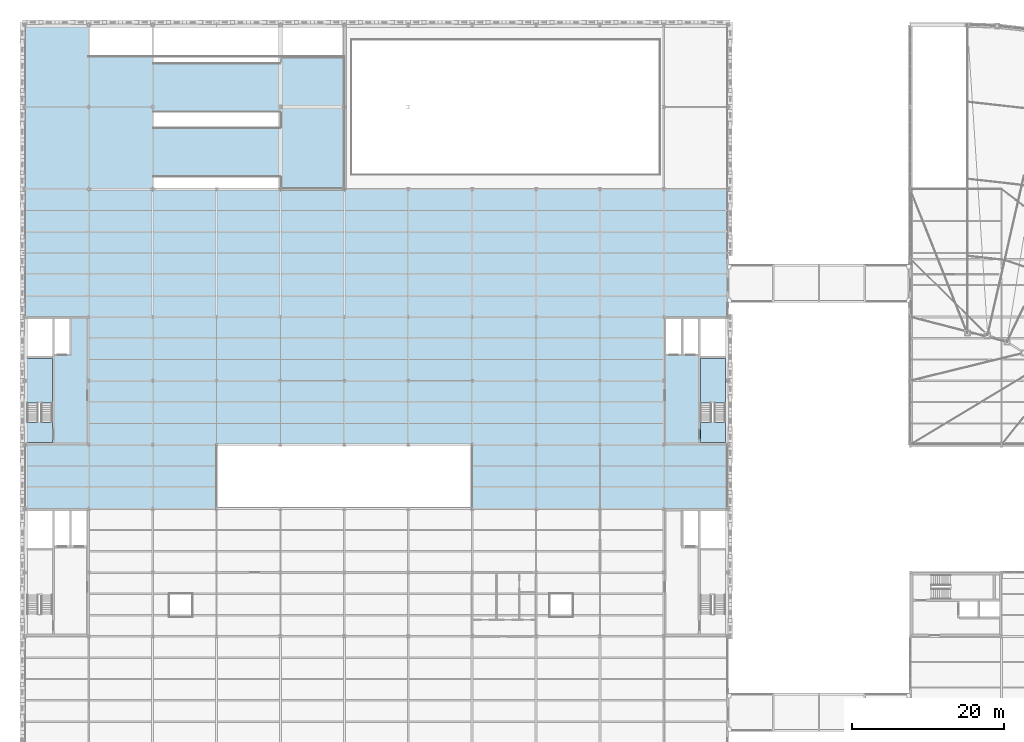
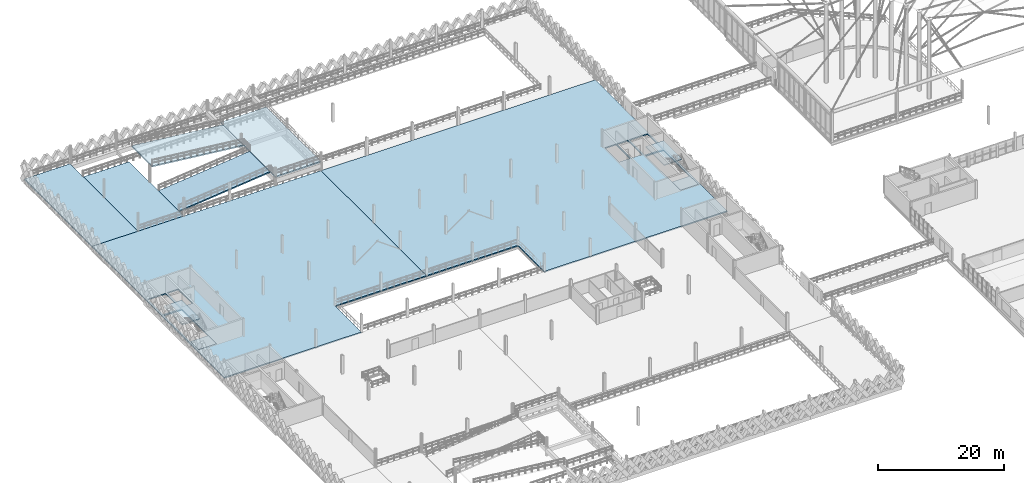
# One storey, part 67 of 101: 11 slabs, 2 elements without a shape of their own.
"""IFC4 building model written with IfcOpenShell, lengths in metres."""

import ifcopenshell
import ifcopenshell.guid

model = None  # the IFC model being written
_history = None  # IfcOwnerHistory: only IFC2X3 demands one
_inside = {}  # id of a spatial element -> (the spatial element, [elements in it])
_under = {}  # id of a project, library or spatial element -> (it, [spatial elements below it])
_declared = {}  # id of a project -> (the project, [libraries it declares])
_typed = {}  # id of a type object -> (the type object, [elements of that type])
_made_of = {}  # id of a material, layer set ... -> (it, [elements and type objects made of it])


def new_model(schema):
    """Start an empty IFC model of exactly this schema.

    Asked for "IFC4X3", IfcOpenShell would pick the latest addendum, in which some entities
    have other attributes; the version numbers below select the first issue.
    IFC2X3 requires an IfcOwnerHistory on every rooted entity: one is made here for all.
    """
    global model, _history
    if schema == "IFC4X3":
        model = ifcopenshell.file(schema_version=(4, 3, 0, 0))
    else:
        model = ifcopenshell.file(schema=schema)
    _inside.clear()
    _under.clear()
    _declared.clear()
    _typed.clear()
    _made_of.clear()
    _history = None
    if model.schema == "IFC2X3":
        org = make("IfcOrganization", Name="unknown")
        user = make(
            "IfcPersonAndOrganization",
            ThePerson=make("IfcPerson", FamilyName="unknown"),
            TheOrganization=org,
        )
        app = make(
            "IfcApplication",
            ApplicationDeveloper=org,
            Version="unknown",
            ApplicationFullName="unknown",
            ApplicationIdentifier="unknown",
        )
        _history = make(
            "IfcOwnerHistory",
            OwningUser=user,
            OwningApplication=app,
            ChangeAction="ADDED",
            CreationDate=0,
        )
    return model


def make(cls, **values):
    """One entity of the class cls with the attributes given. An attribute that is None is left unset."""
    return model.create_entity(
        cls, **{name: value for name, value in values.items() if value is not None}
    )


def rooted(cls, **values):
    """An entity with a GlobalId (a new one), such as an element, a storey or a relation."""
    return make(cls, GlobalId=ifcopenshell.guid.new(), OwnerHistory=_history, **values)


def si_unit(unit_type, name, prefix=None):
    """IfcSIUnit, for example si_unit("LENGTHUNIT", "METRE", prefix="MILLI")."""
    return make("IfcSIUnit", UnitType=unit_type, Prefix=prefix, Name=name)


def assignment(units):
    """IfcUnitAssignment: the units of a project."""
    return None if units is None else make("IfcUnitAssignment", Units=units)


def point(xyz):
    """IfcCartesianPoint."""
    return None if xyz is None else make("IfcCartesianPoint", Coordinates=xyz)


def direction(xyz):
    """IfcDirection."""
    return None if xyz is None else make("IfcDirection", DirectionRatios=xyz)


def frame(location, z_axis=None, x_axis=None):
    """IfcAxis2Placement3D, a coordinate frame: its origin and axes. An axis left out is left unset."""
    return make(
        "IfcAxis2Placement3D",
        Location=point(location),
        Axis=direction(z_axis),
        RefDirection=direction(x_axis),
    )


def origin():
    """The frame at (0, 0, 0) with its axes left unset."""
    return frame((0.0, 0.0, 0.0))


def place(relative_to, where):
    """IfcLocalPlacement: puts the frame where relative to a parent placement (None: the world)."""
    return make(
        "IfcLocalPlacement", PlacementRelTo=relative_to, RelativePlacement=where
    )


def context(
    kind, dimensions, precision=None, world=None, true_north=None, identifier=None
):
    """IfcGeometricRepresentationContext, for example the 3D "Model" context."""
    return make(
        "IfcGeometricRepresentationContext",
        ContextIdentifier=identifier,
        ContextType=kind,
        CoordinateSpaceDimension=dimensions,
        Precision=precision,
        WorldCoordinateSystem=world,
        TrueNorth=true_north,
    )


def subcontext(parent, identifier, kind, view, scale=None):
    """IfcGeometricRepresentationSubContext, for example "Body" below "Model"."""
    return make(
        "IfcGeometricRepresentationSubContext",
        ContextIdentifier=identifier,
        ContextType=kind,
        ParentContext=parent,
        TargetScale=scale,
        TargetView=view,
    )


def project(units=None, contexts=None):
    """IfcProject with its units and contexts."""
    return rooted(
        "IfcProject",
        Name="project",
        RepresentationContexts=contexts,
        UnitsInContext=assignment(units),
    )


def spatial(cls, under=None, at=None, **own):
    """A site, building, storey or space (cls), placed at a placement, below another one or the project."""
    s = rooted(cls, ObjectPlacement=at, **own)
    if under is not None:
        _under.setdefault(under.id(), (under, []))[1].append(s)
    return s


def polyline(points):
    """IfcPolyline through the points."""
    return make("IfcPolyline", Points=[point(p) for p in points])


def outline(outer, holes=None, kind="AREA"):
    """IfcArbitraryClosedProfileDef: a profile drawn as a closed curve; with holes, ...WithVoids."""
    if holes is None:
        return make("IfcArbitraryClosedProfileDef", ProfileType=kind, OuterCurve=outer)
    return make(
        "IfcArbitraryProfileDefWithVoids",
        ProfileType=kind,
        OuterCurve=outer,
        InnerCurves=holes,
    )


def extrude(swept, where, along, depth):
    """IfcExtrudedAreaSolid: the profile swept, set in the frame where, extruded along a direction by depth."""
    return make(
        "IfcExtrudedAreaSolid",
        SweptArea=swept,
        Position=where,
        ExtrudedDirection=direction(along),
        Depth=depth,
    )


def shape(context_of_items, identifier, shape_type, items):
    """IfcShapeRepresentation: the items that make up one representation, for example the "Body"."""
    return make(
        "IfcShapeRepresentation",
        ContextOfItems=context_of_items,
        RepresentationIdentifier=identifier,
        RepresentationType=shape_type,
        Items=items,
    )


def material(Name=None, Category=None):
    """IfcMaterial."""
    return make("IfcMaterial", Name=Name, Category=Category)


def layer(
    of_material, thickness, ventilated=None, Name=None, Category=None, Priority=None
):
    """IfcMaterialLayer: one layer of a wall or slab, of a material (None: an air gap)."""
    return make(
        "IfcMaterialLayer",
        Material=of_material,
        LayerThickness=thickness,
        IsVentilated=ventilated,
        Name=Name,
        Category=Category,
        Priority=Priority,
    )


def layer_set(layers, Name=None):
    """IfcMaterialLayerSet."""
    return make("IfcMaterialLayerSet", MaterialLayers=layers, LayerSetName=Name)


def made_of(thing, what):
    """Note that an element or type object is made of a material, layer set ...; save() writes the relation."""
    if what is not None:
        _made_of.setdefault(what.id(), (what, []))[1].append(thing)
    return thing


def type_object(cls, material=None, **own):
    """A type object (cls), such as IfcWallType, which elements share."""
    return made_of(rooted(cls, **own), material)


def element(
    cls,
    number,
    at=None,
    inside=None,
    cuts=None,
    type_object=None,
    material=None,
    context=None,
    identifier="Body",
    shape_type=None,
    held_by="IfcProductDefinitionShape",
    body=None,
    shapes=None,
    **own,
):
    """One element of the class cls, such as IfcWall. Its Tag is "e" and its number.

    at: its placement. inside: the storey or other place that contains it. cuts: it is an
    opening in that element (IfcRelVoidsElement). A single representation is given by context,
    identifier, shape_type and body (its items); several are given by shapes. held_by: the class
    of the entity that holds the representations. save() writes the other relations.
    """
    e = rooted(cls, Tag="e%d" % number, ObjectPlacement=at, **own)
    if body is not None:
        shapes = [shape(context, identifier, shape_type, body)]
    if shapes is not None:
        e.Representation = make(held_by, Representations=shapes)
    if inside is not None:
        _inside.setdefault(inside.id(), (inside, []))[1].append(e)
    if cuts is not None:
        rooted(
            "IfcRelVoidsElement", RelatingBuildingElement=cuts, RelatedOpeningElement=e
        )
    if type_object is not None:
        _typed.setdefault(type_object.id(), (type_object, []))[1].append(e)
    return made_of(e, material)


def aggregate(whole, parts):
    """IfcRelAggregates: a whole, such as a stair, and the parts it consists of."""
    return rooted("IfcRelAggregates", RelatingObject=whole, RelatedObjects=parts)


def save(model, path):
    """Write the relations noted so far, then the file.

    IfcRelAggregates (storeys below a building ...), IfcRelContainedInSpatialStructure (elements
    in a storey), IfcRelDefinesByType, IfcRelAssociatesMaterial and IfcRelDeclares: one each for
    every whole, place, type object, material and project.
    """
    for whole, parts in _under.values():
        aggregate(whole, parts)
    for where, things in _inside.values():
        rooted(
            "IfcRelContainedInSpatialStructure",
            RelatedElements=things,
            RelatingStructure=where,
        )
    for kind, things in _typed.values():
        rooted("IfcRelDefinesByType", RelatedObjects=things, RelatingType=kind)
    for what, things in _made_of.values():
        rooted("IfcRelAssociatesMaterial", RelatedObjects=things, RelatingMaterial=what)
    for by, libraries in _declared.values():
        rooted("IfcRelDeclares", RelatingContext=by, RelatedDefinitions=libraries)
    model.write(path)


model = new_model("IFC4")

# Units and contexts
model_context = context("Model", 3, precision=1e-05, world=origin(), true_north=direction((0.0, 1.0)))
body_context = subcontext(model_context, "Body", "Model", "MODEL_VIEW")
ifc_project = project(units=[si_unit("LENGTHUNIT", "METRE"), si_unit("AREAUNIT", "SQUARE_METRE"), si_unit("VOLUMEUNIT", "CUBIC_METRE"), si_unit("PLANEANGLEUNIT", "RADIAN"), si_unit("MASSUNIT", "GRAM", prefix="KILO"), si_unit("THERMODYNAMICTEMPERATUREUNIT", "KELVIN"), si_unit("POWERUNIT", "WATT")], contexts=[model_context])

# Site, building, storey
site_placement = place(None, origin())
site = spatial("IfcSite", under=ifc_project, at=site_placement, CompositionType="ELEMENT")
building_placement = place(site_placement, origin())
building = spatial("IfcBuilding", under=site, at=building_placement, Name="Tembeka Court Mobility Hub", CompositionType="ELEMENT")
storey_placement = place(building_placement, frame((0.0, 0.0, 5.39990234375)))
storey = spatial("IfcBuildingStorey", under=building, at=storey_placement, Name="L01", CompositionType="ELEMENT", Elevation=5.39990234375)

# Slabs
ifc_material = material(Name="Concrete C40/50", Category="concrete")
ifc_layer_1 = layer(ifc_material, 0.219970703125)
ifc_layer_set_1 = layer_set([ifc_layer_1], Name="Concrete C40/50")
slab_type_1 = type_object("IfcSlabType", Name="SL-FL02", PredefinedType="FLOOR", material=ifc_layer_set_1)
slab_1_placement = place(storey_placement, frame((0.0, 0.0, -0.219970703125)))
element("IfcSlab", 1, at=slab_1_placement, inside=storey, type_object=slab_type_1, Name="L01 ramped EV parking deck (V1NW)", PredefinedType="FLOOR", context=body_context, shape_type="SweptSolid", body=[
    extrude(outline(polyline([(0.0, 55.199951171875), (25.199951171875, 55.199951171875), (25.199951171875, 63.60009765625), (42.0, 63.60009765625), (42.0, 97.199951171875), (0.0, 97.199951171875), (0.0, 55.199951171875)]), holes=[polyline([(0.300048828125, 74.949951171875), (3.60009765625, 74.949951171875), (3.60009765625, 63.89990234375), (0.300048828125, 63.89990234375), (0.300048828125, 74.949951171875)]), polyline([(3.89990234375, 80.10009765625), (5.89990234375, 80.10009765625), (5.89990234375, 75.550048828125), (3.89990234375, 75.550048828125), (3.89990234375, 80.10009765625)]), polyline([(0.300048828125, 80.10009765625), (3.60009765625, 80.10009765625), (3.60009765625, 75.25), (0.300048828125, 75.25), (0.300048828125, 80.10009765625)])]), origin(), (0.0, 0.0, 1.0), 0.219970703125),
])
slab_2_placement = place(storey_placement, frame((0.0, 0.0, -0.219970703125)))
element("IfcSlab", 2, at=slab_2_placement, inside=storey, type_object=slab_type_1, Name="L01 ramped EV parking deck (V1NE)", PredefinedType="FLOOR", context=body_context, shape_type="SweptSolid", body=[
    extrude(outline(polyline([(42.0, 63.60009765625), (58.800048828125, 63.60009765625), (58.800048828125, 55.199951171875), (92.39990234375, 55.199951171875), (92.39990234375, 97.199951171875), (42.0, 97.199951171875), (42.0, 63.60009765625)]), holes=[polyline([(88.800048828125, 74.949951171875), (92.10009765625, 74.949951171875), (92.10009765625, 63.89990234375), (88.800048828125, 63.89990234375), (88.800048828125, 74.949951171875)]), polyline([(84.300048828125, 80.10009765625), (86.300048828125, 80.10009765625), (86.300048828125, 75.550048828125), (84.300048828125, 75.550048828125), (84.300048828125, 80.10009765625)]), polyline([(86.5, 80.10009765625), (88.5, 80.10009765625), (88.5, 75.550048828125), (86.5, 75.550048828125), (86.5, 80.10009765625)]), polyline([(88.800048828125, 80.10009765625), (92.10009765625, 80.10009765625), (92.10009765625, 75.25), (88.800048828125, 75.25), (88.800048828125, 80.10009765625)])]), origin(), (0.0, 0.0, 1.0), 0.219970703125),
])
slab_3_placement = place(storey_placement, frame((0.0, 0.0, -0.219970703125)))
element("IfcSlab", 3, at=slab_3_placement, inside=storey, type_object=slab_type_1, Name="L01 North-West ramp perimeter deck", PredefinedType="FLOOR", context=body_context, shape_type="SweptSolid", body=[
    extrude(outline(polyline([(0.0, 97.199951171875), (8.39990234375, 97.199951171875), (8.39990234375, 118.800048828125), (0.0, 118.800048828125), (0.0, 97.199951171875)])), origin(), (0.0, 0.0, 1.0), 0.219970703125),
])
ifc_layer_2 = layer(ifc_material, 0.199951171875)
ifc_layer_set_2 = layer_set([ifc_layer_2], Name="Concrete C40/50")
slab_type_2 = type_object("IfcSlabType", Name="SL-LD01", PredefinedType="LANDING", material=ifc_layer_set_2)
slab_4_placement = place(storey_placement, frame((0.0, 0.0, -0.25)))
element("IfcSlab", 4, at=slab_4_placement, inside=storey, type_object=slab_type_2, Name="Car park vehicle ramp North R1 L01 west landing", PredefinedType="LANDING", context=body_context, shape_type="SweptSolid", body=[
    extrude(outline(polyline([(8.39990234375, 97.199951171875), (16.800048828125, 97.199951171875), (16.800048828125, 114.60009765625), (8.39990234375, 114.60009765625), (8.39990234375, 97.199951171875)])), origin(), (0.0, 0.0, 1.0), 0.25),
])
slab_5_placement = place(storey_placement, frame((0.0, 0.0, 1.550048828125)))
element("IfcSlab", 5, at=slab_5_placement, inside=storey, type_object=slab_type_2, Name="Car park vehicle ramp North R1 L01 half landing", PredefinedType="LANDING", context=body_context, shape_type="SweptSolid", body=[
    extrude(outline(polyline([(33.60009765625, 97.199951171875), (42.0, 97.199951171875), (42.0, 114.60009765625), (33.60009765625, 114.60009765625), (33.60009765625, 97.199951171875)])), origin(), (0.0, 0.0, 1.0), 0.25),
])
slab_6_placement = place(storey_placement, frame((0.0, 0.0, -0.25)))
element("IfcSlab", 6, at=slab_6_placement, inside=storey, type_object=slab_type_2, Name="Stair ST02 L01 floor landing slab", PredefinedType="LANDING", context=body_context, shape_type="SweptSolid", body=[
    extrude(outline(polyline([(88.800048828125, 63.89990234375), (92.10009765625, 63.89990234375), (92.10009765625, 66.550048828125), (88.800048828125, 66.550048828125), (88.800048828125, 63.89990234375)])), origin(), (0.0, 0.0, 1.0), 0.25),
])

# Stair, slab
stair_type_1 = type_object("IfcStairType", Name="STR-ST02L01", PredefinedType="HALF_TURN_STAIR", material=ifc_material)
stair_1_placement = place(storey_placement, origin())
stair_1 = element("IfcStair", 7, at=stair_1_placement, inside=storey, type_object=stair_type_1, Name="Protected exit stair ST02 (L01)", PredefinedType="HALF_TURN_STAIR")
slab_7_placement = place(storey_placement, frame((0.0, 0.0, 1.60009765625)))
slab_7 = element("IfcSlab", 8, at=slab_7_placement, type_object=slab_type_2, Name="ST02L01 landing 1", PredefinedType="LANDING", context=body_context, shape_type="SweptSolid", body=[
    extrude(outline(polyline([(92.10009765625, 69.070068359375), (92.10009765625, 74.949951171875), (88.800048828125, 74.949951171875), (88.800048828125, 69.070068359375), (92.10009765625, 69.070068359375)])), origin(), (0.0, 0.0, 1.0), 0.199951171875),
])
aggregate(stair_1, [slab_7])

# Slab
slab_8_placement = place(storey_placement, frame((0.0, 0.0, -0.25)))
element("IfcSlab", 9, at=slab_8_placement, inside=storey, type_object=slab_type_2, Name="Stair ST03 L01 floor landing slab", PredefinedType="LANDING", context=body_context, shape_type="SweptSolid", body=[
    extrude(outline(polyline([(0.300048828125, 63.89990234375), (3.60009765625, 63.89990234375), (3.60009765625, 66.550048828125), (0.300048828125, 66.550048828125), (0.300048828125, 63.89990234375)])), origin(), (0.0, 0.0, 1.0), 0.25),
])

# Stair, slab
stair_type_2 = type_object("IfcStairType", Name="STR-ST03L01", PredefinedType="HALF_TURN_STAIR", material=ifc_material)
stair_2_placement = place(storey_placement, origin())
stair_2 = element("IfcStair", 10, at=stair_2_placement, inside=storey, type_object=stair_type_2, Name="Protected exit stair ST03 (L01)", PredefinedType="HALF_TURN_STAIR")
slab_9_placement = place(storey_placement, frame((0.0, 0.0, 1.60009765625)))
slab_9 = element("IfcSlab", 11, at=slab_9_placement, type_object=slab_type_2, Name="ST03L01 landing 1", PredefinedType="LANDING", context=body_context, shape_type="SweptSolid", body=[
    extrude(outline(polyline([(3.60009765625, 69.070068359375), (3.60009765625, 74.949951171875), (0.300048828125, 74.949951171875), (0.300048828125, 69.070068359375), (3.60009765625, 69.070068359375)])), origin(), (0.0, 0.0, 1.0), 0.199951171875),
])
aggregate(stair_2, [slab_9])

# Slabs
ifc_layer_3 = layer(ifc_material, 0.235107421875)
ifc_layer_set_3 = layer_set([ifc_layer_3], Name="Concrete C40/50")
slab_type_3 = type_object("IfcSlabType", Name="SL-RP01", PredefinedType="FLOOR", material=ifc_layer_set_3)
slab_10_placement = place(storey_placement, frame((16.840087890625, 98.800048828125, 0.0), z_axis=(-0.107040081036, 0.0, 0.994254706326), x_axis=(0.994254706326, 0.0, 0.107040081036)))
element("IfcSlab", 12, at=slab_10_placement, inside=storey, type_object=slab_type_3, Name="Car park vehicle ramp North R1 L01 structural ramp slab 1", PredefinedType="FLOOR", context=body_context, shape_type="SweptSolid", body=[
    extrude(outline(polyline([(0.0, 0.0), (16.816586933649543, 0.0), (16.816586933649543, 6.5), (0.0, 6.5), (0.0, 0.0)])), origin(), (0.0, 0.0, -1.0), 0.235107421875),
])
slab_11_placement = place(storey_placement, frame((33.56005859375, 107.300048828125, 1.800048828125), z_axis=(0.107040081036, 0.0, 0.994254706326), x_axis=(-0.994254706326, 0.0, 0.107040081036)))
element("IfcSlab", 13, at=slab_11_placement, inside=storey, type_object=slab_type_3, Name="Car park vehicle ramp North R1 L01 structural ramp slab 2", PredefinedType="FLOOR", context=body_context, shape_type="SweptSolid", body=[
    extrude(outline(polyline([(0.0, 0.0), (16.816586933649543, 0.0), (16.816586933649543, -6.5), (0.0, -6.5), (0.0, 0.0)])), origin(), (0.0, 0.0, -1.0), 0.235107421875),
])

save(model, "model.ifc")
